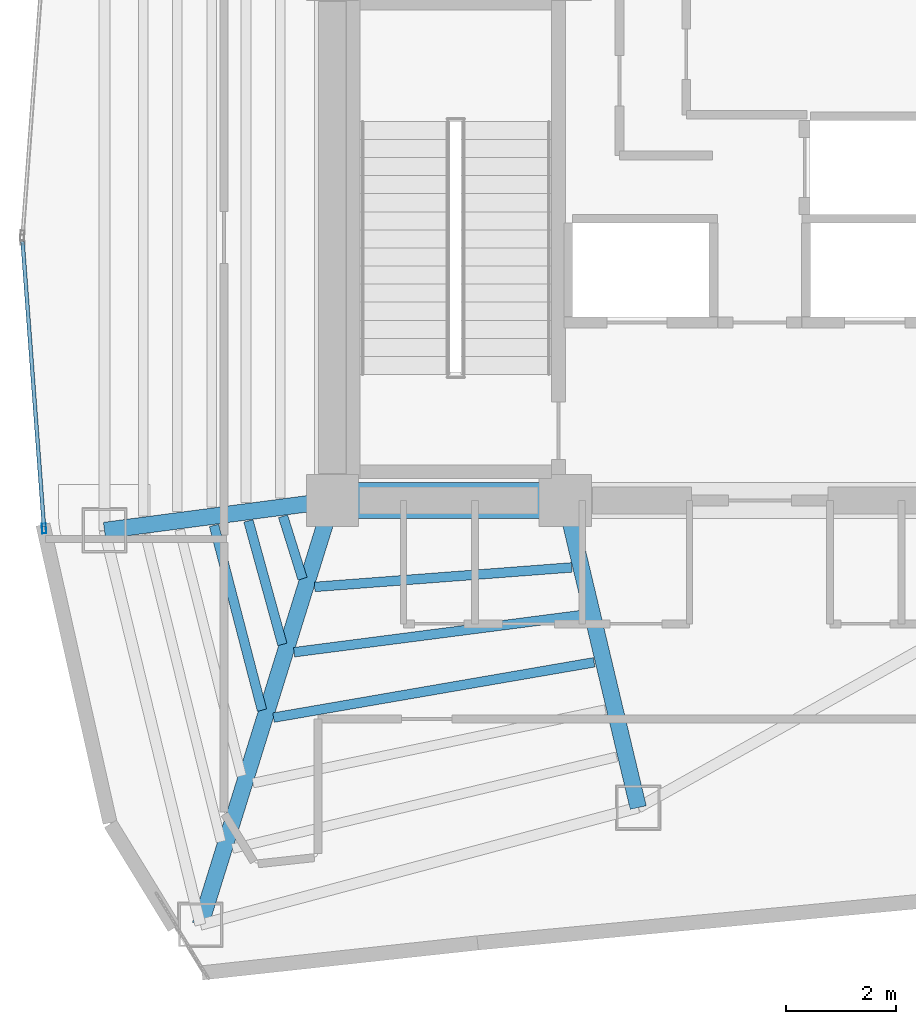
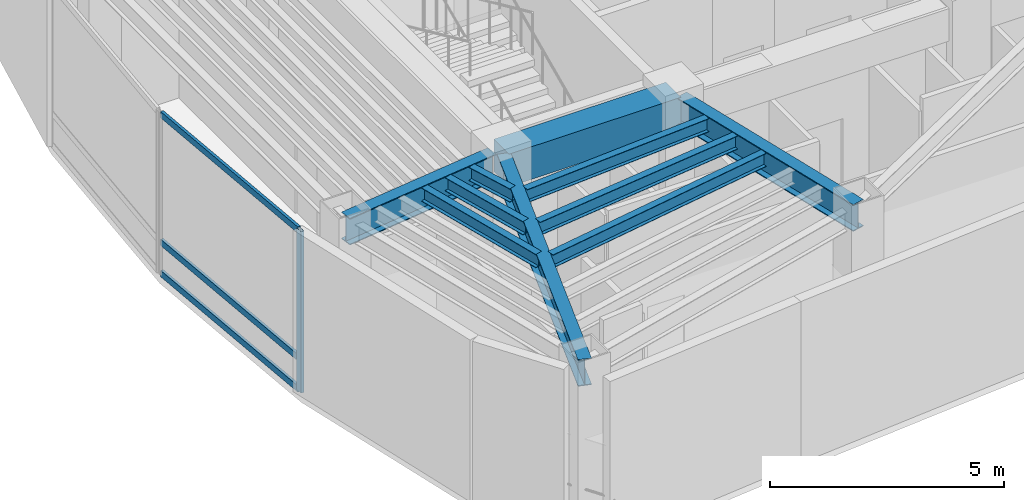
# One storey, part 2 of 17: 10 beams, 4 members, 1 element without a shape of its own.
"""IFC4 building model written with IfcOpenShell, lengths in metres."""

import ifcopenshell
import ifcopenshell.guid

model = None  # the IFC model being written
_history = None  # IfcOwnerHistory: only IFC2X3 demands one
_inside = {}  # id of a spatial element -> (the spatial element, [elements in it])
_under = {}  # id of a project, library or spatial element -> (it, [spatial elements below it])
_declared = {}  # id of a project -> (the project, [libraries it declares])
_typed = {}  # id of a type object -> (the type object, [elements of that type])
_made_of = {}  # id of a material, layer set ... -> (it, [elements and type objects made of it])


def new_model(schema):
    """Start an empty IFC model of exactly this schema.

    Asked for "IFC4X3", IfcOpenShell would pick the latest addendum, in which some entities
    have other attributes; the version numbers below select the first issue.
    IFC2X3 requires an IfcOwnerHistory on every rooted entity: one is made here for all.
    """
    global model, _history
    if schema == "IFC4X3":
        model = ifcopenshell.file(schema_version=(4, 3, 0, 0))
    else:
        model = ifcopenshell.file(schema=schema)
    _inside.clear()
    _under.clear()
    _declared.clear()
    _typed.clear()
    _made_of.clear()
    _history = None
    if model.schema == "IFC2X3":
        org = make("IfcOrganization", Name="unknown")
        user = make(
            "IfcPersonAndOrganization",
            ThePerson=make("IfcPerson", FamilyName="unknown"),
            TheOrganization=org,
        )
        app = make(
            "IfcApplication",
            ApplicationDeveloper=org,
            Version="unknown",
            ApplicationFullName="unknown",
            ApplicationIdentifier="unknown",
        )
        _history = make(
            "IfcOwnerHistory",
            OwningUser=user,
            OwningApplication=app,
            ChangeAction="ADDED",
            CreationDate=0,
        )
    return model


def make(cls, **values):
    """One entity of the class cls with the attributes given. An attribute that is None is left unset."""
    return model.create_entity(
        cls, **{name: value for name, value in values.items() if value is not None}
    )


def rooted(cls, **values):
    """An entity with a GlobalId (a new one), such as an element, a storey or a relation."""
    return make(cls, GlobalId=ifcopenshell.guid.new(), OwnerHistory=_history, **values)


def si_unit(unit_type, name, prefix=None):
    """IfcSIUnit, for example si_unit("LENGTHUNIT", "METRE", prefix="MILLI")."""
    return make("IfcSIUnit", UnitType=unit_type, Prefix=prefix, Name=name)


def assignment(units):
    """IfcUnitAssignment: the units of a project."""
    return None if units is None else make("IfcUnitAssignment", Units=units)


def point(xyz):
    """IfcCartesianPoint."""
    return None if xyz is None else make("IfcCartesianPoint", Coordinates=xyz)


def direction(xyz):
    """IfcDirection."""
    return None if xyz is None else make("IfcDirection", DirectionRatios=xyz)


def frame(location, z_axis=None, x_axis=None):
    """IfcAxis2Placement3D, a coordinate frame: its origin and axes. An axis left out is left unset."""
    return make(
        "IfcAxis2Placement3D",
        Location=point(location),
        Axis=direction(z_axis),
        RefDirection=direction(x_axis),
    )


def frame_2d(location, x_axis=None):
    """IfcAxis2Placement2D, a coordinate frame in the plane: its origin and x axis."""
    return make(
        "IfcAxis2Placement2D", Location=point(location), RefDirection=direction(x_axis)
    )


def origin():
    """The frame at (0, 0, 0) with its axes left unset."""
    return frame((0.0, 0.0, 0.0))


def origin_2d():
    """The frame at (0, 0) in the plane with its x axis left unset."""
    return frame_2d((0.0, 0.0))


def place(relative_to, where):
    """IfcLocalPlacement: puts the frame where relative to a parent placement (None: the world)."""
    return make(
        "IfcLocalPlacement", PlacementRelTo=relative_to, RelativePlacement=where
    )


def context(
    kind, dimensions, precision=None, world=None, true_north=None, identifier=None
):
    """IfcGeometricRepresentationContext, for example the 3D "Model" context."""
    return make(
        "IfcGeometricRepresentationContext",
        ContextIdentifier=identifier,
        ContextType=kind,
        CoordinateSpaceDimension=dimensions,
        Precision=precision,
        WorldCoordinateSystem=world,
        TrueNorth=true_north,
    )


def subcontext(parent, identifier, kind, view, scale=None):
    """IfcGeometricRepresentationSubContext, for example "Body" below "Model"."""
    return make(
        "IfcGeometricRepresentationSubContext",
        ContextIdentifier=identifier,
        ContextType=kind,
        ParentContext=parent,
        TargetScale=scale,
        TargetView=view,
    )


def project(units=None, contexts=None):
    """IfcProject with its units and contexts."""
    return rooted(
        "IfcProject",
        Name="project",
        RepresentationContexts=contexts,
        UnitsInContext=assignment(units),
    )


def spatial(cls, under=None, at=None, **own):
    """A site, building, storey or space (cls), placed at a placement, below another one or the project."""
    s = rooted(cls, ObjectPlacement=at, **own)
    if under is not None:
        _under.setdefault(under.id(), (under, []))[1].append(s)
    return s


def profile(cls, at=None, kind="AREA", **sizes):
    """A parametric profile (cls). Its sizes go by their IFC names, for example OverallWidth=200.0."""
    return make(cls, ProfileType=kind, Position=at, **sizes)


def rectangle(**sizes):
    """IfcRectangleProfileDef."""
    return profile("IfcRectangleProfileDef", **sizes)


def hollow_rectangle(**sizes):
    """IfcRectangleHollowProfileDef."""
    return profile("IfcRectangleHollowProfileDef", **sizes)


def i_section(**sizes):
    """IfcIShapeProfileDef."""
    return profile("IfcIShapeProfileDef", **sizes)


def extrude(swept, where, along, depth):
    """IfcExtrudedAreaSolid: the profile swept, set in the frame where, extruded along a direction by depth."""
    return make(
        "IfcExtrudedAreaSolid",
        SweptArea=swept,
        Position=where,
        ExtrudedDirection=direction(along),
        Depth=depth,
    )


def shape(context_of_items, identifier, shape_type, items):
    """IfcShapeRepresentation: the items that make up one representation, for example the "Body"."""
    return make(
        "IfcShapeRepresentation",
        ContextOfItems=context_of_items,
        RepresentationIdentifier=identifier,
        RepresentationType=shape_type,
        Items=items,
    )


def material(Name=None, Category=None):
    """IfcMaterial."""
    return make("IfcMaterial", Name=Name, Category=Category)


def layer(
    of_material, thickness, ventilated=None, Name=None, Category=None, Priority=None
):
    """IfcMaterialLayer: one layer of a wall or slab, of a material (None: an air gap)."""
    return make(
        "IfcMaterialLayer",
        Material=of_material,
        LayerThickness=thickness,
        IsVentilated=ventilated,
        Name=Name,
        Category=Category,
        Priority=Priority,
    )


def layer_set(layers, Name=None):
    """IfcMaterialLayerSet."""
    return make("IfcMaterialLayerSet", MaterialLayers=layers, LayerSetName=Name)


def material_profile(
    of_material, cross_section, Name=None, Category=None, Priority=None
):
    """IfcMaterialProfile: a cross section and its material."""
    return make(
        "IfcMaterialProfile",
        Name=Name,
        Material=of_material,
        Profile=cross_section,
        Priority=Priority,
        Category=Category,
    )


def profile_set(profiles, Name=None, composite=None):
    """IfcMaterialProfileSet."""
    return make(
        "IfcMaterialProfileSet",
        Name=Name,
        MaterialProfiles=profiles,
        CompositeProfile=composite,
    )


def made_of(thing, what):
    """Note that an element or type object is made of a material, layer set ...; save() writes the relation."""
    if what is not None:
        _made_of.setdefault(what.id(), (what, []))[1].append(thing)
    return thing


def type_object(cls, material=None, **own):
    """A type object (cls), such as IfcWallType, which elements share."""
    return made_of(rooted(cls, **own), material)


def element(
    cls,
    number,
    at=None,
    inside=None,
    cuts=None,
    type_object=None,
    material=None,
    context=None,
    identifier="Body",
    shape_type=None,
    held_by="IfcProductDefinitionShape",
    body=None,
    shapes=None,
    **own,
):
    """One element of the class cls, such as IfcWall. Its Tag is "e" and its number.

    at: its placement. inside: the storey or other place that contains it. cuts: it is an
    opening in that element (IfcRelVoidsElement). A single representation is given by context,
    identifier, shape_type and body (its items); several are given by shapes. held_by: the class
    of the entity that holds the representations. save() writes the other relations.
    """
    e = rooted(cls, Tag="e%d" % number, ObjectPlacement=at, **own)
    if body is not None:
        shapes = [shape(context, identifier, shape_type, body)]
    if shapes is not None:
        e.Representation = make(held_by, Representations=shapes)
    if inside is not None:
        _inside.setdefault(inside.id(), (inside, []))[1].append(e)
    if cuts is not None:
        rooted(
            "IfcRelVoidsElement", RelatingBuildingElement=cuts, RelatedOpeningElement=e
        )
    if type_object is not None:
        _typed.setdefault(type_object.id(), (type_object, []))[1].append(e)
    return made_of(e, material)


def aggregate(whole, parts):
    """IfcRelAggregates: a whole, such as a stair, and the parts it consists of."""
    return rooted("IfcRelAggregates", RelatingObject=whole, RelatedObjects=parts)


def save(model, path):
    """Write the relations noted so far, then the file.

    IfcRelAggregates (storeys below a building ...), IfcRelContainedInSpatialStructure (elements
    in a storey), IfcRelDefinesByType, IfcRelAssociatesMaterial and IfcRelDeclares: one each for
    every whole, place, type object, material and project.
    """
    for whole, parts in _under.values():
        aggregate(whole, parts)
    for where, things in _inside.values():
        rooted(
            "IfcRelContainedInSpatialStructure",
            RelatedElements=things,
            RelatingStructure=where,
        )
    for kind, things in _typed.values():
        rooted("IfcRelDefinesByType", RelatedObjects=things, RelatingType=kind)
    for what, things in _made_of.values():
        rooted("IfcRelAssociatesMaterial", RelatedObjects=things, RelatingMaterial=what)
    for by, libraries in _declared.values():
        rooted("IfcRelDeclares", RelatingContext=by, RelatedDefinitions=libraries)
    model.write(path)


model = new_model("IFC4")

# Units and contexts
model_context = context("Model", 3, precision=1e-05, world=origin(), true_north=direction((0.0, 1.0)))
body_context = subcontext(model_context, "Body", "Model", "MODEL_VIEW")
ifc_project = project(units=[si_unit("LENGTHUNIT", "METRE"), si_unit("AREAUNIT", "SQUARE_METRE"), si_unit("VOLUMEUNIT", "CUBIC_METRE"), si_unit("PLANEANGLEUNIT", "RADIAN"), si_unit("MASSUNIT", "GRAM", prefix="KILO")], contexts=[model_context])

# Site, building, storey
site_placement = place(None, origin())
site = spatial("IfcSite", under=ifc_project, at=site_placement, CompositionType="ELEMENT")
building_placement = place(site_placement, origin())
building = spatial("IfcBuilding", under=site, at=building_placement, Name="Menara Vayukalpa", CompositionType="ELEMENT")
storey_placement = place(building_placement, frame((0.0, 0.0, 238.139892578125)))
storey = spatial("IfcBuildingStorey", under=building, at=storey_placement, Name="L60", CompositionType="ELEMENT", Elevation=238.139892578125)

# Beams
ifc_material_1 = material(Name="Concrete C60/75", Category="concrete")
ifc_material_profile_1 = material_profile(ifc_material_1, rectangle(XDim=0.64990234375, YDim=0.85009765625, at=origin_2d()), Name="RC 650x850")
ifc_profile_set_1 = profile_set([ifc_material_profile_1], Name="Concrete C60/75")
beam_type_1 = type_object("IfcBeamType", Name="BM-CB1", PredefinedType="BEAM", material=ifc_profile_set_1)
beam_1_placement = place(storey_placement, frame((17.800048828125, 17.199951171875, 3.795166015625), z_axis=(1.0, 0.0, 0.0), x_axis=(0.0, 1.0, 0.0)))
element("IfcBeam", 1, at=beam_1_placement, inside=storey, type_object=beam_type_1, Name="L60 Core Tie Beam CBR1", PredefinedType="BEAM", context=body_context, shape_type="SweptSolid", body=[
    extrude(rectangle(XDim=0.64990234375, YDim=0.85009765625, at=origin_2d()), origin(), (0.0, 0.0, 1.0), 4.25),
])
ifc_material_2 = material(Name="Steel S355", Category="steel")
ifc_material_profile_2 = material_profile(ifc_material_2, i_section(OverallWidth=0.300048828125, OverallDepth=0.699951171875, WebThickness=0.012939453125, FlangeThickness=0.02392578125, at=origin_2d()), Name="WF 700x300x13x24")
ifc_profile_set_2 = profile_set([ifc_material_profile_2], Name="Steel S355")
beam_type_2 = type_object("IfcBeamType", Name="BM-PG5", PredefinedType="BEAM", material=ifc_profile_set_2)
beam_2_placement = place(storey_placement, frame((17.552001953125, 17.16748046875, 3.8701171875), z_axis=(-0.991477860763, -0.130275291662, 0.0), x_axis=(0.130275291662, -0.991477860763, 0.0)))
element("IfcBeam", 2, at=beam_2_placement, inside=storey, type_object=beam_type_2, Name="L60 Primary Radial Girder RG06", PredefinedType="BEAM", context=body_context, shape_type="SweptSolid", body=[
    extrude(i_section(OverallWidth=0.300048828125, OverallDepth=0.699951171875, WebThickness=0.012939453125, FlangeThickness=0.02392578125, at=origin_2d()), origin(), (0.0, 0.0, 1.0), 3.94677734375),
])
beam_3_placement = place(storey_placement, frame((17.7255859375, 16.961181640625, 3.8701171875), z_axis=(-0.297213792842, -0.954810955815, 0.0), x_axis=(0.954810955815, -0.297213792842, 0.0)))
element("IfcBeam", 3, at=beam_3_placement, inside=storey, type_object=beam_type_2, Name="L60 Primary Radial Girder RG07", PredefinedType="BEAM", context=body_context, shape_type="SweptSolid", body=[
    extrude(i_section(OverallWidth=0.300048828125, OverallDepth=0.699951171875, WebThickness=0.012939453125, FlangeThickness=0.02392578125, at=origin_2d()), origin(), (0.0, 0.0, 1.0), 7.861083984375),
])
beam_4_placement = place(storey_placement, frame((22.10791015625, 16.956787109375, 3.8701171875), z_axis=(0.231167310854, -0.972914011818, 0.0), x_axis=(0.972914011818, 0.231167310854, 0.0)))
element("IfcBeam", 4, at=beam_4_placement, inside=storey, type_object=beam_type_2, Name="L60 Primary Radial Girder RG08", PredefinedType="BEAM", context=body_context, shape_type="SweptSolid", body=[
    extrude(i_section(OverallWidth=0.300048828125, OverallDepth=0.699951171875, WebThickness=0.012939453125, FlangeThickness=0.02392578125, at=origin_2d()), origin(), (0.0, 0.0, 1.0), 5.5107421875),
])
ifc_material_3 = material(Name="Steel S355", Category="steel")
ifc_material_profile_3 = material_profile(ifc_material_3, i_section(OverallWidth=0.175048828125, OverallDepth=0.35009765625, WebThickness=0.007080078125, FlangeThickness=0.010986328125, at=origin_2d()), Name="WF 350x175x7x11")
ifc_profile_set_3 = profile_set([ifc_material_profile_3], Name="Steel S355")
beam_type_3 = type_object("IfcBeamType", Name="BM-SJ3", PredefinedType="JOIST", material=ifc_profile_set_3)
beam_5_placement = place(storey_placement, frame((16.8984375, 16.91259765625, 4.045166015625), z_axis=(0.298018933644, -0.954559958929, 0.0), x_axis=(0.954559958929, 0.298018933644, 0.0)))
element("IfcBeam", 5, at=beam_5_placement, inside=storey, type_object=beam_type_3, Name="L60 Secondary Floor Joist SJ06-1", PredefinedType="JOIST", context=body_context, shape_type="SweptSolid", body=[
    extrude(i_section(OverallWidth=0.175048828125, OverallDepth=0.35009765625, WebThickness=0.007080078125, FlangeThickness=0.010986328125, at=origin_2d()), origin(), (0.0, 0.0, 1.0), 1.1943359375),
])
beam_6_placement = place(storey_placement, frame((16.2666015625, 16.82861328125, 4.045166015625), z_axis=(0.264918721837, -0.9642707456, 0.0), x_axis=(0.9642707456, 0.264918721837, 0.0)))
element("IfcBeam", 6, at=beam_6_placement, inside=storey, type_object=beam_type_3, Name="L60 Secondary Floor Joist SJ06-2", PredefinedType="JOIST", context=body_context, shape_type="SweptSolid", body=[
    extrude(i_section(OverallWidth=0.175048828125, OverallDepth=0.35009765625, WebThickness=0.007080078125, FlangeThickness=0.010986328125, at=origin_2d()), origin(), (0.0, 0.0, 1.0), 2.3388671875),
])
beam_7_placement = place(storey_placement, frame((15.63818359375, 16.745849609375, 4.045166015625), z_axis=(0.251492114719, -0.96785934734, 0.0), x_axis=(0.96785934734, 0.251492114719, 0.0)))
element("IfcBeam", 7, at=beam_7_placement, inside=storey, type_object=beam_type_3, Name="L60 Secondary Floor Joist SJ06-3", PredefinedType="JOIST", context=body_context, shape_type="SweptSolid", body=[
    extrude(i_section(OverallWidth=0.175048828125, OverallDepth=0.35009765625, WebThickness=0.007080078125, FlangeThickness=0.010986328125, at=origin_2d()), origin(), (0.0, 0.0, 1.0), 3.485107421875),
])
beam_8_placement = place(storey_placement, frame((17.474609375, 15.623046875, 4.045166015625), z_axis=(0.997135697669, 0.075633328852, 0.0), x_axis=(-0.075633328852, 0.997135697669, 0.0)))
element("IfcBeam", 8, at=beam_8_placement, inside=storey, type_object=beam_type_3, Name="L60 Secondary Floor Joist SJ07-1", PredefinedType="JOIST", context=body_context, shape_type="SweptSolid", body=[
    extrude(i_section(OverallWidth=0.175048828125, OverallDepth=0.35009765625, WebThickness=0.007080078125, FlangeThickness=0.010986328125, at=origin_2d()), origin(), (0.0, 0.0, 1.0), 4.706298828125),
])
beam_9_placement = place(storey_placement, frame((17.099853515625, 14.43115234375, 4.045166015625), z_axis=(0.991763759233, 0.128080622546, 0.0), x_axis=(-0.128080622546, 0.991763759233, 0.0)))
element("IfcBeam", 9, at=beam_9_placement, inside=storey, type_object=beam_type_3, Name="L60 Secondary Floor Joist SJ07-2", PredefinedType="JOIST", context=body_context, shape_type="SweptSolid", body=[
    extrude(i_section(OverallWidth=0.175048828125, OverallDepth=0.35009765625, WebThickness=0.007080078125, FlangeThickness=0.010986328125, at=origin_2d()), origin(), (0.0, 0.0, 1.0), 5.316162109375),
])
beam_10_placement = place(storey_placement, frame((16.724853515625, 13.2373046875, 4.045166015625), z_axis=(0.985440172071, 0.170022549294, 0.0), x_axis=(-0.170022549294, 0.985440172071, 0.0)))
element("IfcBeam", 10, at=beam_10_placement, inside=storey, type_object=beam_type_3, Name="L60 Secondary Floor Joist SJ07-3", PredefinedType="JOIST", context=body_context, shape_type="SweptSolid", body=[
    extrude(i_section(OverallWidth=0.175048828125, OverallDepth=0.35009765625, WebThickness=0.007080078125, FlangeThickness=0.010986328125, at=origin_2d()), origin(), (0.0, 0.0, 1.0), 5.93896484375),
])

# Curtain wall, members
ifc_material_4 = material(Name="Anodised Terracotta Aluminium Alloy 6063-T6", Category="masonry")
ifc_layer = layer(ifc_material_4, 0.179931640625)
ifc_layer_set = layer_set([ifc_layer], Name="Anodised Terracotta Aluminium Alloy 6063-T6")
curtain_wall_type = type_object("IfcCurtainWallType", Name="CW-CW4", PredefinedType="USERDEFINED", material=ifc_layer_set)
curtain_wall_placement = place(storey_placement, origin())
curtain_wall = element("IfcCurtainWall", 11, at=curtain_wall_placement, inside=storey, type_object=curtain_wall_type, Name="L60 Sky Bar Cantilever Glazed Curtain Wall CW4 11", ObjectType="UNITISED", PredefinedType="USERDEFINED")
ifc_material_5 = material(Name="Anodised Terracotta Aluminium Alloy 6063-T6", Category="masonry")
ifc_material_profile_4 = material_profile(ifc_material_5, hollow_rectangle(XDim=0.074951171875, YDim=0.179931640625, WallThickness=0.00390625, at=origin_2d()), Name="ALU 75x180x4")
ifc_profile_set_4 = profile_set([ifc_material_profile_4], Name="Anodised Terracotta Aluminium Alloy 6063-T6")
member_type_1 = type_object("IfcMemberType", Name="CWM-CW4", PredefinedType="MULLION", material=ifc_profile_set_4)
member_1_placement = place(storey_placement, frame((12.5361328125, 16.690673828125, 0.0), z_axis=(0.0, 0.0, 1.0), x_axis=(0.997199344663, 0.074789484574, 0.0)))
member_1 = element("IfcMember", 12, at=member_1_placement, type_object=member_type_1, Name="CW4 mullion 2", PredefinedType="MULLION", context=body_context, shape_type="SweptSolid", body=[
    extrude(hollow_rectangle(XDim=0.074951171875, YDim=0.179931640625, WallThickness=0.00390625, at=origin_2d()), origin(), (0.0, 0.0, 1.0), 4.22021484375),
])
ifc_material_6 = material(Name="Anodised Terracotta Aluminium Alloy 6063-T6", Category="masonry")
ifc_material_profile_5 = material_profile(ifc_material_6, hollow_rectangle(XDim=0.070068359375, YDim=0.1650390625, WallThickness=0.00390625, at=origin_2d()), Name="ALU 70x165x4")
ifc_profile_set_5 = profile_set([ifc_material_profile_5], Name="Anodised Terracotta Aluminium Alloy 6063-T6")
member_type_2 = type_object("IfcMemberType", Name="CWT-CW4", PredefinedType="USERDEFINED", material=ifc_profile_set_5)
member_2_placement = place(storey_placement, frame((12.1435546875, 21.92529296875, 0.03515625), z_axis=(0.074808580699, -0.997197912279, 0.0), x_axis=(0.997197912279, 0.074808580699, 0.0)))
member_2 = element("IfcMember", 13, at=member_2_placement, type_object=member_type_2, Name="CW4 transom 1.1", ObjectType="TRANSOM", PredefinedType="USERDEFINED", context=body_context, shape_type="SweptSolid", body=[
    extrude(hollow_rectangle(XDim=0.070068359375, YDim=0.1650390625, WallThickness=0.00390625, at=origin_2d()), origin(), (0.0, 0.0, 1.0), 5.2119140625),
])
member_3_placement = place(storey_placement, frame((12.1435546875, 21.92529296875, 0.85009765625), z_axis=(0.074808580699, -0.997197912279, 0.0), x_axis=(0.997197912279, 0.074808580699, 0.0)))
member_3 = element("IfcMember", 14, at=member_3_placement, type_object=member_type_2, Name="CW4 transom 1.2", ObjectType="TRANSOM", PredefinedType="USERDEFINED", context=body_context, shape_type="SweptSolid", body=[
    extrude(hollow_rectangle(XDim=0.070068359375, YDim=0.1650390625, WallThickness=0.00390625, at=origin_2d()), origin(), (0.0, 0.0, 1.0), 5.2119140625),
])
member_4_placement = place(storey_placement, frame((12.1435546875, 21.92529296875, 4.18505859375), z_axis=(0.074808580699, -0.997197912279, 0.0), x_axis=(0.997197912279, 0.074808580699, 0.0)))
member_4 = element("IfcMember", 15, at=member_4_placement, type_object=member_type_2, Name="CW4 transom 1.3", ObjectType="TRANSOM", PredefinedType="USERDEFINED", context=body_context, shape_type="SweptSolid", body=[
    extrude(hollow_rectangle(XDim=0.070068359375, YDim=0.1650390625, WallThickness=0.00390625, at=origin_2d()), origin(), (0.0, 0.0, 1.0), 5.2119140625),
])
aggregate(curtain_wall, [member_1, member_2, member_3, member_4])

save(model, "model.ifc")
